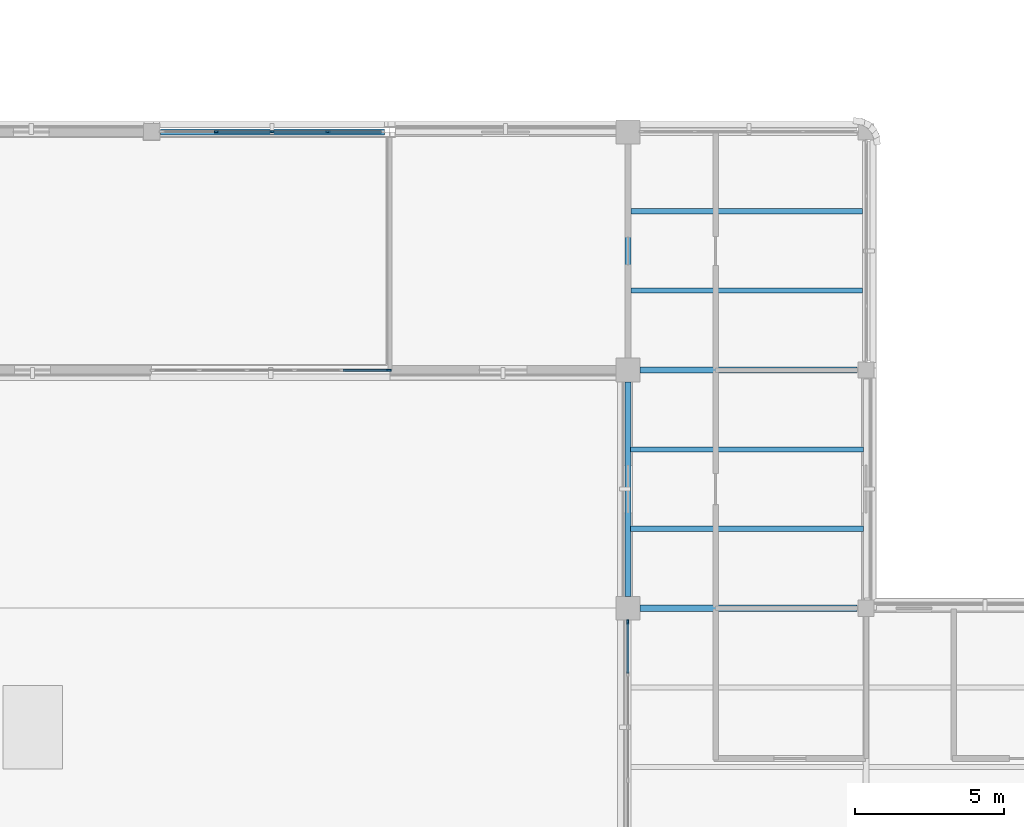
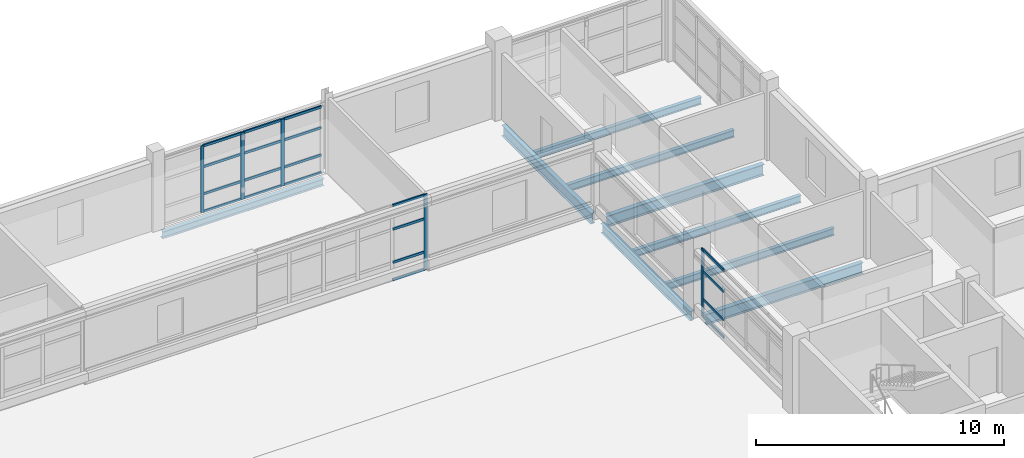
# One storey, part 36 of 107: 25 members, 9 beams, 3 elements without a shape of their own.
"""IFC4 building model written with IfcOpenShell, lengths in metres."""

from ifc_helpers import new_model, si_unit, derived_unit, direction, frame, origin, origin_2d, place, context, subcontext, project, spatial, rectangle, i_section, extrude, material, layer, layer_set, material_profile, profile_set, type_object, element, aggregate, save


model = new_model("IFC4")

# Units and contexts
model_context = context("Model", 3, precision=1e-05, world=origin(), true_north=direction((0.0, 1.0)))
body_context = subcontext(model_context, "Body", "Model", "MODEL_VIEW")
ifc_project = project(units=[si_unit("LENGTHUNIT", "METRE"), si_unit("AREAUNIT", "SQUARE_METRE"), si_unit("VOLUMEUNIT", "CUBIC_METRE"), si_unit("PLANEANGLEUNIT", "RADIAN"), si_unit("MASSUNIT", "GRAM", prefix="KILO"), derived_unit("THERMALTRANSMITTANCEUNIT", [(si_unit("MASSUNIT", "GRAM", prefix="KILO"), 1), (si_unit("TIMEUNIT", "SECOND"), -3), (si_unit("THERMODYNAMICTEMPERATUREUNIT", "KELVIN"), -1)])], contexts=[model_context])

# Site, building, storey
site_placement = place(None, origin())
site = spatial("IfcSite", under=ifc_project, at=site_placement, CompositionType="ELEMENT")
building_placement = place(site_placement, origin())
building = spatial("IfcBuilding", under=site, at=building_placement, Name="Veyamyaing Civic Hall", CompositionType="ELEMENT")
storey_placement = place(building_placement, frame((0.0, 0.0, 13.860107421875)))
storey = spatial("IfcBuildingStorey", under=building, at=storey_placement, Name="L03", CompositionType="ELEMENT", Elevation=13.860107421875)

# Beams
ifc_material_1 = material(Name="Steel ASTM A992", Category="steel")
ifc_material_profile_1 = material_profile(ifc_material_1, i_section(OverallWidth=0.208984375, OverallDepth=0.532958984375, WebThickness=0.01025390625, FlangeThickness=0.015625, FilletRadius=0.011962890625, at=origin_2d()), Name="W530X92")
ifc_profile_set_1 = profile_set([ifc_material_profile_1], Name="Steel ASTM A992")
beam_type_1 = type_object("IfcBeamType", Name="B-07", PredefinedType="BEAM", material=ifc_profile_set_1)
beam_1_placement = place(storey_placement, frame((104.39990234375, 64.0, -0.521728515625), z_axis=(1.0, 0.0, 0.0), x_axis=(0.0, 1.0, 0.0)))
element("IfcBeam", 1, at=beam_1_placement, inside=storey, type_object=beam_type_1, Name="Girder B-07 L03 Grid J 14-15", PredefinedType="BEAM", context=body_context, shape_type="SweptSolid", body=[
    extrude(i_section(OverallWidth=0.208984375, OverallDepth=0.532958984375, WebThickness=0.01025390625, FlangeThickness=0.015625, FilletRadius=0.011962890625, at=origin_2d()), origin(), (0.0, 0.0, 1.0), 7.300048828125),
])
ifc_material_profile_2 = material_profile(ifc_material_1, i_section(OverallWidth=0.19189453125, OverallDepth=0.462890625, WebThickness=0.010498046875, FlangeThickness=0.017578125, FilletRadius=0.010009765625, at=origin_2d()), Name="W460X89")
ifc_profile_set_2 = profile_set([ifc_material_profile_2], Name="Steel ASTM A992")
beam_type_2 = type_object("IfcBeamType", Name="B-08", PredefinedType="BEAM", material=ifc_profile_set_2)
beam_2_placement = place(storey_placement, frame((104.0, 64.39990234375, -0.486572265625), z_axis=(0.0, 1.0, 0.0), x_axis=(-1.0, 0.0, 0.0)))
element("IfcBeam", 2, at=beam_2_placement, inside=storey, type_object=beam_type_2, Name="Girder B-08 L03 Grid 14 J-K", PredefinedType="BEAM", context=body_context, shape_type="SweptSolid", body=[
    extrude(i_section(OverallWidth=0.19189453125, OverallDepth=0.462890625, WebThickness=0.010498046875, FlangeThickness=0.017578125, FilletRadius=0.010009765625, at=origin_2d()), origin(), (0.0, 0.0, 1.0), 7.2001953125),
])
ifc_material_profile_3 = material_profile(ifc_material_1, i_section(OverallWidth=0.2041015625, OverallDepth=0.35009765625, WebThickness=0.0078125, FlangeThickness=0.01513671875, FilletRadius=0.010009765625, at=origin_2d()), Name="W360X72")
ifc_profile_set_3 = profile_set([ifc_material_profile_3], Name="Steel ASTM A992")
beam_type_3 = type_object("IfcBeamType", Name="B-11", PredefinedType="SPANDREL", material=ifc_profile_set_3)
beam_3_placement = place(storey_placement, frame((88.300048828125, 80.0, -0.43017578125), z_axis=(1.0, 0.0, 0.0), x_axis=(0.0, 1.0, 0.0)))
element("IfcBeam", 3, at=beam_3_placement, inside=storey, type_object=beam_type_3, Name="Girder B-11 L03 Grid L 12-13", PredefinedType="SPANDREL", context=body_context, shape_type="SweptSolid", body=[
    extrude(i_section(OverallWidth=0.2041015625, OverallDepth=0.35009765625, WebThickness=0.0078125, FlangeThickness=0.01513671875, FilletRadius=0.010009765625, at=origin_2d()), origin(), (0.0, 0.0, 1.0), 7.514404296875),
])
ifc_material_profile_4 = material_profile(ifc_material_1, i_section(OverallWidth=0.214111328125, OverallDepth=0.549072265625, WebThickness=0.0146484375, FlangeThickness=0.023681640625, FilletRadius=0.011962890625, at=origin_2d()), Name="W530X138")
ifc_profile_set_4 = profile_set([ifc_material_profile_4], Name="Steel ASTM A992")
beam_type_4 = type_object("IfcBeamType", Name="B-16", PredefinedType="BEAM", material=ifc_profile_set_4)
beam_4_placement = place(storey_placement, frame((104.39990234375, 72.0, -0.529541015625), z_axis=(1.0, 0.0, 0.0), x_axis=(0.0, 1.0, 0.0)))
element("IfcBeam", 4, at=beam_4_placement, inside=storey, type_object=beam_type_4, Name="Girder B-16 L03 Grid K 14-15", PredefinedType="BEAM", context=body_context, shape_type="SweptSolid", body=[
    extrude(i_section(OverallWidth=0.214111328125, OverallDepth=0.549072265625, WebThickness=0.0146484375, FlangeThickness=0.023681640625, FilletRadius=0.011962890625, at=origin_2d()), origin(), (0.0, 0.0, 1.0), 7.300048828125),
])
ifc_material_profile_5 = material_profile(ifc_material_1, i_section(OverallWidth=0.2109375, OverallDepth=0.5390625, WebThickness=0.01171875, FlangeThickness=0.018798828125, FilletRadius=0.011962890625, at=origin_2d()), Name="W530X109")
ifc_profile_set_5 = profile_set([ifc_material_profile_5], Name="Steel ASTM A992")
beam_type_5 = type_object("IfcBeamType", Name="B-17", PredefinedType="BEAM", material=ifc_profile_set_5)
beam_5_placement = place(storey_placement, frame((104.0, 72.39990234375, -0.524658203125), z_axis=(0.0, 1.0, 0.0), x_axis=(-1.0, 0.0, 0.0)))
element("IfcBeam", 5, at=beam_5_placement, inside=storey, type_object=beam_type_5, Name="Girder B-17 L03 Grid 14 K-L", PredefinedType="BEAM", context=body_context, shape_type="SweptSolid", body=[
    extrude(i_section(OverallWidth=0.2109375, OverallDepth=0.5390625, WebThickness=0.01171875, FlangeThickness=0.018798828125, FilletRadius=0.011962890625, at=origin_2d()), origin(), (0.0, 0.0, 1.0), 7.2001953125),
])

# Curtain wall, member
ifc_material_2 = material(Name="Anodised aluminium 6063-T6", Category="aluminium")
ifc_layer = layer(ifc_material_2, 0.159912109375, Name="Anodised aluminium 6063-T6")
ifc_layer_set = layer_set([ifc_layer], Name="Anodised aluminium 6063-T6")
curtain_wall_type = type_object("IfcCurtainWallType", Name="CW-07", PredefinedType="NOTDEFINED", material=ifc_layer_set)
curtain_wall_1_placement = place(storey_placement, origin())
curtain_wall_1 = element("IfcCurtainWall", 6, at=curtain_wall_1_placement, inside=storey, type_object=curtain_wall_type, Name="Unitized curtain wall CW-07 L03 S 12.10", PredefinedType="NOTDEFINED")
ifc_material_profile_6 = material_profile(ifc_material_2, rectangle(XDim=0.06494140625, YDim=0.159912109375, at=origin_2d()), Name="ALU-MUL-65X160")
ifc_profile_set_6 = profile_set([ifc_material_profile_6], Name="Anodised aluminium 6063-T6")
member_type_1 = type_object("IfcMemberType", Name="CWM-01", PredefinedType="MULLION", material=ifc_profile_set_6)
member_1_placement = place(storey_placement, frame((95.967529296875, 72.0, 0.0), z_axis=(0.0, 0.0, 1.0), x_axis=(0.0, 1.0, 0.0)))
member_1 = element("IfcMember", 7, at=member_1_placement, type_object=member_type_1, Name="CW-07 mullion 6", PredefinedType="MULLION", context=body_context, shape_type="SweptSolid", body=[
    extrude(rectangle(XDim=0.06494140625, YDim=0.159912109375, at=origin_2d()), origin(), (0.0, 0.0, 1.0), 3.724853515625),
])

# Curtain wall, members
curtain_wall_2_placement = place(storey_placement, origin())
curtain_wall_2 = element("IfcCurtainWall", 8, at=curtain_wall_2_placement, inside=storey, type_object=curtain_wall_type, Name="Unitized curtain wall CW-07 L03 N 12.10", PredefinedType="NOTDEFINED")
member_2_placement = place(storey_placement, frame((90.175048828125, 80.0, 0.0), z_axis=(0.0, 0.0, 1.0), x_axis=(0.0, 1.0, 0.0)))
member_2 = element("IfcMember", 9, at=member_2_placement, type_object=member_type_1, Name="CW-07 mullion 2", PredefinedType="MULLION", context=body_context, shape_type="SweptSolid", body=[
    extrude(rectangle(XDim=0.06494140625, YDim=0.159912109375, at=origin_2d()), origin(), (0.0, 0.0, 1.0), 3.294921875),
])
member_3_placement = place(storey_placement, frame((92.045166015625, 80.0, 0.0), z_axis=(0.0, 0.0, 1.0), x_axis=(0.0, 1.0, 0.0)))
member_3 = element("IfcMember", 10, at=member_3_placement, type_object=member_type_1, Name="CW-07 mullion 3", PredefinedType="MULLION", context=body_context, shape_type="SweptSolid", body=[
    extrude(rectangle(XDim=0.06494140625, YDim=0.159912109375, at=origin_2d()), origin(), (0.0, 0.0, 1.0), 3.294921875),
])
member_4_placement = place(storey_placement, frame((93.915283203125, 80.0, 0.0), z_axis=(0.0, 0.0, 1.0), x_axis=(0.0, 1.0, 0.0)))
member_4 = element("IfcMember", 11, at=member_4_placement, type_object=member_type_1, Name="CW-07 mullion 4", PredefinedType="MULLION", context=body_context, shape_type="SweptSolid", body=[
    extrude(rectangle(XDim=0.06494140625, YDim=0.159912109375, at=origin_2d()), origin(), (0.0, 0.0, 1.0), 3.294921875),
])

# Curtain wall, member
curtain_wall_3_placement = place(storey_placement, origin())
curtain_wall_3 = element("IfcCurtainWall", 12, at=curtain_wall_3_placement, inside=storey, type_object=curtain_wall_type, Name="Unitized curtain wall CW-07 L03 W 14.8", PredefinedType="NOTDEFINED")
member_5_placement = place(storey_placement, frame((104.0, 63.53759765625, 0.0), z_axis=(0.0, 0.0, 1.0), x_axis=(-1.0, 0.0, 0.0)))
member_5 = element("IfcMember", 13, at=member_5_placement, type_object=member_type_1, Name="CW-07 mullion 5", PredefinedType="MULLION", context=body_context, shape_type="SweptSolid", body=[
    extrude(rectangle(XDim=0.06494140625, YDim=0.159912109375, at=origin_2d()), origin(), (0.0, 0.0, 1.0), 3.366943359375),
])

# Member
ifc_material_profile_7 = material_profile(ifc_material_2, rectangle(XDim=0.06494140625, YDim=0.1201171875, at=origin_2d()), Name="ALU-TRN-65X120")
ifc_profile_set_7 = profile_set([ifc_material_profile_7], Name="Anodised aluminium 6063-T6")
member_type_2 = type_object("IfcMemberType", Name="CWT-01", PredefinedType="USERDEFINED", material=ifc_profile_set_7)
member_6_placement = place(storey_placement, frame((94.4326171875, 72.0, 0.032470703125), z_axis=(1.0, 0.0, 0.0), x_axis=(0.0, 1.0, 0.0)))
member_6 = element("IfcMember", 14, at=member_6_placement, type_object=member_type_2, Name="CW-07 transom 5.1", ObjectType="TRANSOM", PredefinedType="USERDEFINED", context=body_context, shape_type="SweptSolid", body=[
    extrude(rectangle(XDim=0.06494140625, YDim=0.1201171875, at=origin_2d()), origin(), (0.0, 0.0, 1.0), 1.50244140625),
])

member_7_placement = place(storey_placement, frame((94.4326171875, 72.0, 0.89990234375), z_axis=(1.0, 0.0, 0.0), x_axis=(0.0, 1.0, 0.0)))
member_7 = element("IfcMember", 15, at=member_7_placement, type_object=member_type_2, Name="CW-07 transom 5.2", ObjectType="TRANSOM", PredefinedType="USERDEFINED", context=body_context, shape_type="SweptSolid", body=[
    extrude(rectangle(XDim=0.06494140625, YDim=0.1201171875, at=origin_2d()), origin(), (0.0, 0.0, 1.0), 1.50244140625),
])

member_8_placement = place(storey_placement, frame((94.4326171875, 72.0, 2.532958984375), z_axis=(1.0, 0.0, 0.0), x_axis=(0.0, 1.0, 0.0)))
member_8 = element("IfcMember", 16, at=member_8_placement, type_object=member_type_2, Name="CW-07 transom 5.3", ObjectType="TRANSOM", PredefinedType="USERDEFINED", context=body_context, shape_type="SweptSolid", body=[
    extrude(rectangle(XDim=0.06494140625, YDim=0.1201171875, at=origin_2d()), origin(), (0.0, 0.0, 1.0), 1.50244140625),
])

member_9_placement = place(storey_placement, frame((94.4326171875, 72.0, 3.6923828125), z_axis=(1.0, 0.0, 0.0), x_axis=(0.0, 1.0, 0.0)))
member_9 = element("IfcMember", 17, at=member_9_placement, type_object=member_type_2, Name="CW-07 transom 5.4", ObjectType="TRANSOM", PredefinedType="USERDEFINED", context=body_context, shape_type="SweptSolid", body=[
    extrude(rectangle(XDim=0.06494140625, YDim=0.1201171875, at=origin_2d()), origin(), (0.0, 0.0, 1.0), 1.50244140625),
])

aggregate(curtain_wall_1, [member_1, member_6, member_7, member_8, member_9])

member_10_placement = place(storey_placement, frame((90.20751953125, 80.0, 0.032470703125), z_axis=(1.0, 0.0, 0.0), x_axis=(0.0, 1.0, 0.0)))
member_10 = element("IfcMember", 18, at=member_10_placement, type_object=member_type_2, Name="CW-07 transom 2.1", ObjectType="TRANSOM", PredefinedType="USERDEFINED", context=body_context, shape_type="SweptSolid", body=[
    extrude(rectangle(XDim=0.06494140625, YDim=0.1201171875, at=origin_2d()), origin(), (0.0, 0.0, 1.0), 1.80517578125),
])

member_11_placement = place(storey_placement, frame((90.20751953125, 80.0, 0.89990234375), z_axis=(1.0, 0.0, 0.0), x_axis=(0.0, 1.0, 0.0)))
member_11 = element("IfcMember", 19, at=member_11_placement, type_object=member_type_2, Name="CW-07 transom 2.2", ObjectType="TRANSOM", PredefinedType="USERDEFINED", context=body_context, shape_type="SweptSolid", body=[
    extrude(rectangle(XDim=0.06494140625, YDim=0.1201171875, at=origin_2d()), origin(), (0.0, 0.0, 1.0), 1.80517578125),
])

member_12_placement = place(storey_placement, frame((90.20751953125, 80.0, 2.240478515625), z_axis=(1.0, 0.0, 0.0), x_axis=(0.0, 1.0, 0.0)))
member_12 = element("IfcMember", 20, at=member_12_placement, type_object=member_type_2, Name="CW-07 transom 2.3", ObjectType="TRANSOM", PredefinedType="USERDEFINED", context=body_context, shape_type="SweptSolid", body=[
    extrude(rectangle(XDim=0.06494140625, YDim=0.1201171875, at=origin_2d()), origin(), (0.0, 0.0, 1.0), 1.80517578125),
])

member_13_placement = place(storey_placement, frame((90.20751953125, 80.0, 3.262451171875), z_axis=(1.0, 0.0, 0.0), x_axis=(0.0, 1.0, 0.0)))
member_13 = element("IfcMember", 21, at=member_13_placement, type_object=member_type_2, Name="CW-07 transom 2.4", ObjectType="TRANSOM", PredefinedType="USERDEFINED", context=body_context, shape_type="SweptSolid", body=[
    extrude(rectangle(XDim=0.06494140625, YDim=0.1201171875, at=origin_2d()), origin(), (0.0, 0.0, 1.0), 1.80517578125),
])

member_14_placement = place(storey_placement, frame((92.07763671875, 80.0, 0.032470703125), z_axis=(1.0, 0.0, 0.0), x_axis=(0.0, 1.0, 0.0)))
member_14 = element("IfcMember", 22, at=member_14_placement, type_object=member_type_2, Name="CW-07 transom 3.1", ObjectType="TRANSOM", PredefinedType="USERDEFINED", context=body_context, shape_type="SweptSolid", body=[
    extrude(rectangle(XDim=0.06494140625, YDim=0.1201171875, at=origin_2d()), origin(), (0.0, 0.0, 1.0), 1.80517578125),
])

member_15_placement = place(storey_placement, frame((92.07763671875, 80.0, 0.89990234375), z_axis=(1.0, 0.0, 0.0), x_axis=(0.0, 1.0, 0.0)))
member_15 = element("IfcMember", 23, at=member_15_placement, type_object=member_type_2, Name="CW-07 transom 3.2", ObjectType="TRANSOM", PredefinedType="USERDEFINED", context=body_context, shape_type="SweptSolid", body=[
    extrude(rectangle(XDim=0.06494140625, YDim=0.1201171875, at=origin_2d()), origin(), (0.0, 0.0, 1.0), 1.80517578125),
])

member_16_placement = place(storey_placement, frame((92.07763671875, 80.0, 2.240478515625), z_axis=(1.0, 0.0, 0.0), x_axis=(0.0, 1.0, 0.0)))
member_16 = element("IfcMember", 24, at=member_16_placement, type_object=member_type_2, Name="CW-07 transom 3.3", ObjectType="TRANSOM", PredefinedType="USERDEFINED", context=body_context, shape_type="SweptSolid", body=[
    extrude(rectangle(XDim=0.06494140625, YDim=0.1201171875, at=origin_2d()), origin(), (0.0, 0.0, 1.0), 1.80517578125),
])

member_17_placement = place(storey_placement, frame((92.07763671875, 80.0, 3.262451171875), z_axis=(1.0, 0.0, 0.0), x_axis=(0.0, 1.0, 0.0)))
member_17 = element("IfcMember", 25, at=member_17_placement, type_object=member_type_2, Name="CW-07 transom 3.4", ObjectType="TRANSOM", PredefinedType="USERDEFINED", context=body_context, shape_type="SweptSolid", body=[
    extrude(rectangle(XDim=0.06494140625, YDim=0.1201171875, at=origin_2d()), origin(), (0.0, 0.0, 1.0), 1.80517578125),
])

member_18_placement = place(storey_placement, frame((93.94775390625, 80.0, 0.032470703125), z_axis=(1.0, 0.0, 0.0), x_axis=(0.0, 1.0, 0.0)))
member_18 = element("IfcMember", 26, at=member_18_placement, type_object=member_type_2, Name="CW-07 transom 4.1", ObjectType="TRANSOM", PredefinedType="USERDEFINED", context=body_context, shape_type="SweptSolid", body=[
    extrude(rectangle(XDim=0.06494140625, YDim=0.1201171875, at=origin_2d()), origin(), (0.0, 0.0, 1.0), 1.772705078125),
])

member_19_placement = place(storey_placement, frame((93.94775390625, 80.0, 0.89990234375), z_axis=(1.0, 0.0, 0.0), x_axis=(0.0, 1.0, 0.0)))
member_19 = element("IfcMember", 27, at=member_19_placement, type_object=member_type_2, Name="CW-07 transom 4.2", ObjectType="TRANSOM", PredefinedType="USERDEFINED", context=body_context, shape_type="SweptSolid", body=[
    extrude(rectangle(XDim=0.06494140625, YDim=0.1201171875, at=origin_2d()), origin(), (0.0, 0.0, 1.0), 1.772705078125),
])

member_20_placement = place(storey_placement, frame((93.94775390625, 80.0, 2.240478515625), z_axis=(1.0, 0.0, 0.0), x_axis=(0.0, 1.0, 0.0)))
member_20 = element("IfcMember", 28, at=member_20_placement, type_object=member_type_2, Name="CW-07 transom 4.3", ObjectType="TRANSOM", PredefinedType="USERDEFINED", context=body_context, shape_type="SweptSolid", body=[
    extrude(rectangle(XDim=0.06494140625, YDim=0.1201171875, at=origin_2d()), origin(), (0.0, 0.0, 1.0), 1.772705078125),
])

member_21_placement = place(storey_placement, frame((93.94775390625, 80.0, 3.262451171875), z_axis=(1.0, 0.0, 0.0), x_axis=(0.0, 1.0, 0.0)))
member_21 = element("IfcMember", 29, at=member_21_placement, type_object=member_type_2, Name="CW-07 transom 4.4", ObjectType="TRANSOM", PredefinedType="USERDEFINED", context=body_context, shape_type="SweptSolid", body=[
    extrude(rectangle(XDim=0.06494140625, YDim=0.1201171875, at=origin_2d()), origin(), (0.0, 0.0, 1.0), 1.772705078125),
])

aggregate(curtain_wall_2, [member_2, member_3, member_4, member_10, member_11, member_12, member_13, member_14, member_15, member_16, member_17, member_18, member_19, member_20, member_21])

member_22_placement = place(storey_placement, frame((104.0, 61.8173828125, 0.032470703125), z_axis=(0.0, 1.0, 0.0), x_axis=(-1.0, 0.0, 0.0)))
member_22 = element("IfcMember", 30, at=member_22_placement, type_object=member_type_2, Name="CW-07 transom 4.1", ObjectType="TRANSOM", PredefinedType="USERDEFINED", context=body_context, shape_type="SweptSolid", body=[
    extrude(rectangle(XDim=0.06494140625, YDim=0.1201171875, at=origin_2d()), origin(), (0.0, 0.0, 1.0), 1.6875),
])

member_23_placement = place(storey_placement, frame((104.0, 61.8173828125, 0.89990234375), z_axis=(0.0, 1.0, 0.0), x_axis=(-1.0, 0.0, 0.0)))
member_23 = element("IfcMember", 31, at=member_23_placement, type_object=member_type_2, Name="CW-07 transom 4.2", ObjectType="TRANSOM", PredefinedType="USERDEFINED", context=body_context, shape_type="SweptSolid", body=[
    extrude(rectangle(XDim=0.06494140625, YDim=0.1201171875, at=origin_2d()), origin(), (0.0, 0.0, 1.0), 1.6875),
])

member_24_placement = place(storey_placement, frame((104.0, 61.8173828125, 2.28955078125), z_axis=(0.0, 1.0, 0.0), x_axis=(-1.0, 0.0, 0.0)))
member_24 = element("IfcMember", 32, at=member_24_placement, type_object=member_type_2, Name="CW-07 transom 4.3", ObjectType="TRANSOM", PredefinedType="USERDEFINED", context=body_context, shape_type="SweptSolid", body=[
    extrude(rectangle(XDim=0.06494140625, YDim=0.1201171875, at=origin_2d()), origin(), (0.0, 0.0, 1.0), 1.6875),
])

member_25_placement = place(storey_placement, frame((104.0, 61.8173828125, 3.33447265625), z_axis=(0.0, 1.0, 0.0), x_axis=(-1.0, 0.0, 0.0)))
member_25 = element("IfcMember", 33, at=member_25_placement, type_object=member_type_2, Name="CW-07 transom 4.4", ObjectType="TRANSOM", PredefinedType="USERDEFINED", context=body_context, shape_type="SweptSolid", body=[
    extrude(rectangle(XDim=0.06494140625, YDim=0.1201171875, at=origin_2d()), origin(), (0.0, 0.0, 1.0), 1.6875),
])

aggregate(curtain_wall_3, [member_5, member_22, member_23, member_24, member_25])

# Beams
ifc_material_profile_8 = material_profile(ifc_material_1, i_section(OverallWidth=0.172119140625, OverallDepth=0.35791015625, WebThickness=0.0078125, FlangeThickness=0.01318359375, FilletRadius=0.010009765625, at=origin_2d()), Name="W360X57")
ifc_profile_set_8 = profile_set([ifc_material_profile_8], Name="Steel ASTM A992")
beam_type_6 = type_object("IfcBeamType", Name="J-02", PredefinedType="JOIST", material=ifc_profile_set_8)
for number, where, z_axis, x_axis, name in (
    (34, (104.093994140625, 66.666748046875, -0.43408203125), (1.0, 0.0, 0.0), (0.0, 1.0, 0.0), "Composite floor joist J-02 L03 14.9.1"),
    (35, (104.093994140625, 69.333251953125, -0.43408203125), (1.0, 0.0, 0.0), (0.0, 1.0, 0.0), "Composite floor joist J-02 L03 14.9.2"),
):
    element("IfcBeam", number, at=place(storey_placement, frame(where, z_axis=z_axis, x_axis=x_axis)), inside=storey, type_object=beam_type_6, Name=name, PredefinedType="JOIST", context=body_context, shape_type="SweptSolid", body=[
        extrude(i_section(OverallWidth=0.172119140625, OverallDepth=0.35791015625, WebThickness=0.0078125, FlangeThickness=0.01318359375, FilletRadius=0.010009765625, at=origin_2d()), origin(), (0.0, 0.0, 1.0), 7.817626953125),
    ])
ifc_material_profile_9 = material_profile(ifc_material_1, i_section(OverallWidth=0.1708984375, OverallDepth=0.35205078125, WebThickness=0.0068359375, FlangeThickness=0.009765625, FilletRadius=0.010009765625, at=origin_2d()), Name="W360X44")
ifc_profile_set_9 = profile_set([ifc_material_profile_9], Name="Steel ASTM A992")
beam_type_7 = type_object("IfcBeamType", Name="J-03", PredefinedType="JOIST", material=ifc_profile_set_9)
for number, where, z_axis, x_axis, name in (
    (36, (104.103515625, 74.666748046875, -0.43115234375), (1.0, 0.0, 0.0), (0.0, 1.0, 0.0), "Composite floor joist J-03 L03 14.10.1"),
    (37, (104.103515625, 77.333251953125, -0.43115234375), (1.0, 0.0, 0.0), (0.0, 1.0, 0.0), "Composite floor joist J-03 L03 14.10.2"),
):
    element("IfcBeam", number, at=place(storey_placement, frame(where, z_axis=z_axis, x_axis=x_axis)), inside=storey, type_object=beam_type_7, Name=name, PredefinedType="JOIST", context=body_context, shape_type="SweptSolid", body=[
        extrude(i_section(OverallWidth=0.1708984375, OverallDepth=0.35205078125, WebThickness=0.0068359375, FlangeThickness=0.009765625, FilletRadius=0.010009765625, at=origin_2d()), origin(), (0.0, 0.0, 1.0), 7.771484375),
    ])

save(model, "model.ifc")
